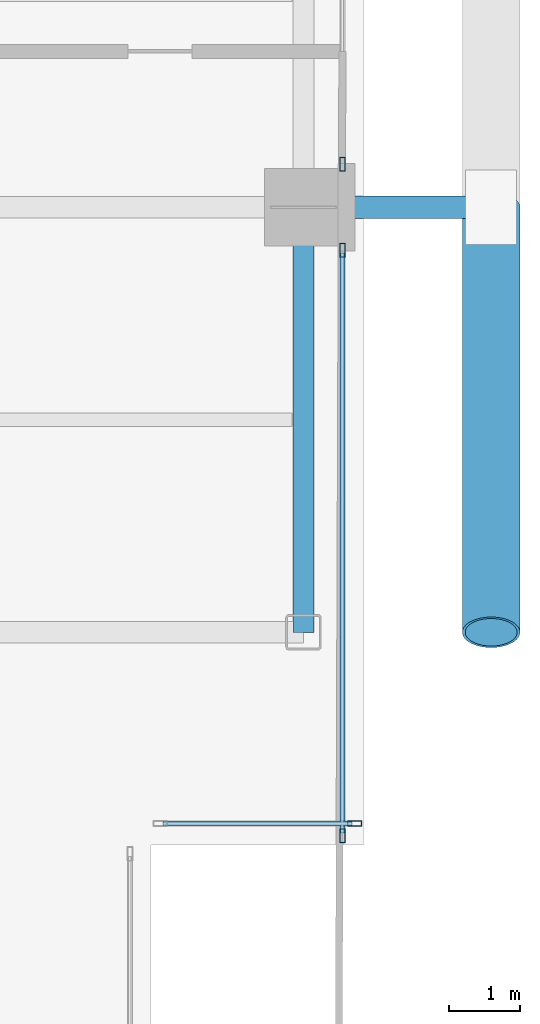
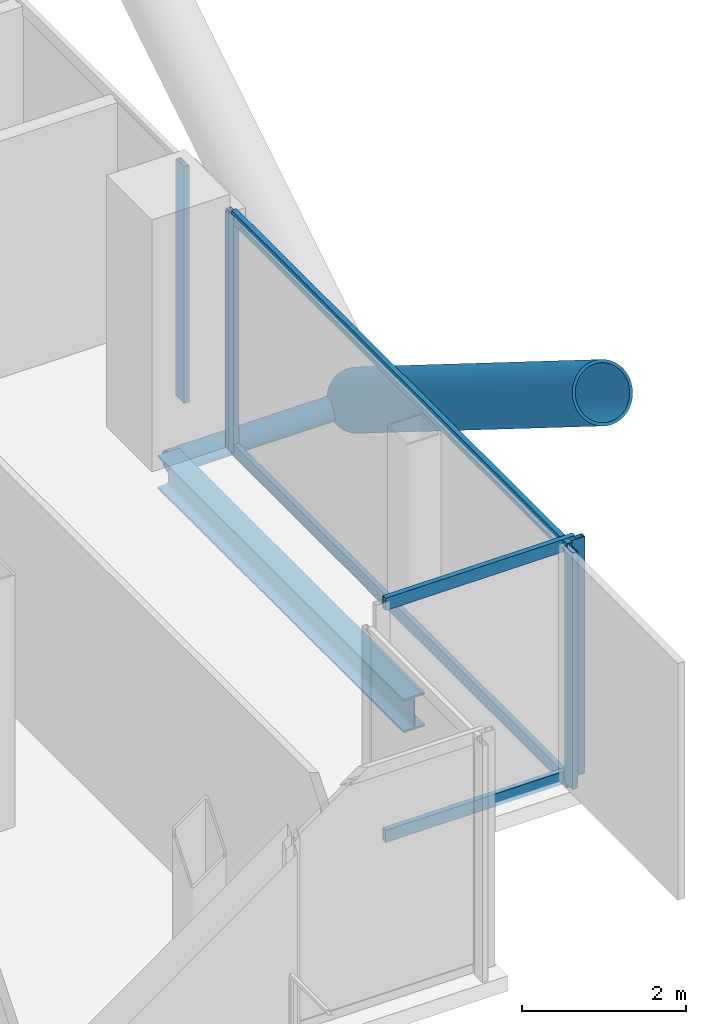
# One storey, part 12 of 28: 10 members, 1 beam, 3 elements without a shape of their own.
"""IFC4 building model written with IfcOpenShell, lengths in metres."""

from ifc_helpers import new_model, si_unit, direction, frame, origin, origin_2d, place, context, subcontext, project, spatial, hollow_rectangle, hollow_circle, i_section, extrude, material, layer, layer_set, material_profile, profile_set, type_object, element, aggregate, save


model = new_model("IFC4")

# Units and contexts
model_context = context("Model", 3, precision=1e-05, world=origin(), true_north=direction((0.0, 1.0)))
body_context = subcontext(model_context, "Body", "Model", "MODEL_VIEW")
ifc_project = project(units=[si_unit("LENGTHUNIT", "METRE"), si_unit("AREAUNIT", "SQUARE_METRE"), si_unit("VOLUMEUNIT", "CUBIC_METRE"), si_unit("PLANEANGLEUNIT", "RADIAN"), si_unit("MASSUNIT", "GRAM", prefix="KILO"), si_unit("THERMODYNAMICTEMPERATUREUNIT", "KELVIN"), si_unit("POWERUNIT", "WATT")], contexts=[model_context])

# Site, building, storey
site_placement = place(None, origin())
site = spatial("IfcSite", under=ifc_project, at=site_placement, CompositionType="ELEMENT")
building_placement = place(site_placement, origin())
building = spatial("IfcBuilding", under=site, at=building_placement, Name="Svarakhadi Broadcast Tower", CompositionType="ELEMENT")
storey_placement = place(building_placement, frame((0.0, 0.0, 138.14990234375)))
storey = spatial("IfcBuildingStorey", under=building, at=storey_placement, Name="L33", CompositionType="ELEMENT", Elevation=138.14990234375)

# Curtain wall, member
ifc_material_1 = material(Name="Anodised Bronze Aluminium AA 6063-T6", Category="aluminium")
ifc_layer = layer(ifc_material_1, 0.199951171875)
ifc_layer_set = layer_set([ifc_layer], Name="Anodised Bronze Aluminium AA 6063-T6")
curtain_wall_type = type_object("IfcCurtainWallType", Name="CW_Sys_03", PredefinedType="NOTDEFINED", material=ifc_layer_set)
curtain_wall_1_placement = place(storey_placement, origin())
curtain_wall_1 = element("IfcCurtainWall", 1, at=curtain_wall_1_placement, inside=storey, type_object=curtain_wall_type, Name="L33 Unitised Facade Curtain Wall 13 Bay 1", PredefinedType="NOTDEFINED")
ifc_material_profile_1 = material_profile(ifc_material_1, hollow_rectangle(XDim=0.074951171875, YDim=0.199951171875, WallThickness=0.005615234375, at=origin_2d()), Name="ALU MULLION 200x75x6")
ifc_profile_set_1 = profile_set([ifc_material_profile_1], Name="Anodised Bronze Aluminium AA 6063-T6")
member_type_1 = type_object("IfcMemberType", Name="CW_Sys_03_Mul", PredefinedType="MULLION", material=ifc_profile_set_1)
member_1_placement = place(storey_placement, frame((47.699951171875, 12.607421875, 0.0), z_axis=(0.0, 0.0, 1.0), x_axis=(1.0, 0.0, 0.0)))
member_1 = element("IfcMember", 2, at=member_1_placement, type_object=member_type_1, Name="CW-03 mullion 2", PredefinedType="MULLION", context=body_context, shape_type="SweptSolid", body=[
    extrude(hollow_rectangle(XDim=0.074951171875, YDim=0.199951171875, WallThickness=0.005615234375, at=origin_2d()), origin(), (0.0, 0.0, 1.0), 3.525146484375),
])
aggregate(curtain_wall_1, [member_1])

# Curtain wall, members
curtain_wall_2_placement = place(storey_placement, origin())
curtain_wall_2 = element("IfcCurtainWall", 3, at=curtain_wall_2_placement, inside=storey, type_object=curtain_wall_type, Name="L33 Unitised Facade Curtain Wall 13 Bay 2", PredefinedType="NOTDEFINED")
member_2_placement = place(storey_placement, frame((47.699951171875, 11.392578125, 0.0), z_axis=(0.0, 0.0, 1.0), x_axis=(1.0, 0.0, 0.0)))
member_2 = element("IfcMember", 4, at=member_2_placement, type_object=member_type_1, Name="CW-03 mullion 1", PredefinedType="MULLION", context=body_context, shape_type="SweptSolid", body=[
    extrude(hollow_rectangle(XDim=0.074951171875, YDim=0.199951171875, WallThickness=0.005615234375, at=origin_2d()), origin(), (0.0, 0.0, 1.0), 3.525146484375),
])
member_3_placement = place(storey_placement, frame((47.699951171875, 3.12744140625, 0.0), z_axis=(0.0, 0.0, 1.0), x_axis=(1.0, 0.0, 0.0)))
member_3 = element("IfcMember", 5, at=member_3_placement, type_object=member_type_1, Name="CW-03 mullion 2", PredefinedType="MULLION", context=body_context, shape_type="SweptSolid", body=[
    extrude(hollow_rectangle(XDim=0.074951171875, YDim=0.199951171875, WallThickness=0.005615234375, at=origin_2d()), origin(), (0.0, 0.0, 1.0), 3.525146484375),
])

# Curtain wall, member
curtain_wall_3_placement = place(storey_placement, origin())
curtain_wall_3 = element("IfcCurtainWall", 6, at=curtain_wall_3_placement, inside=storey, type_object=curtain_wall_type, Name="L33 Unitised Facade Curtain Wall 14", PredefinedType="NOTDEFINED")
member_4_placement = place(storey_placement, frame((47.87255859375, 3.300048828125, 0.0), z_axis=(0.0, 0.0, 1.0), x_axis=(0.0, -1.0, 0.0)))
member_4 = element("IfcMember", 7, at=member_4_placement, type_object=member_type_1, Name="CW-03 mullion 1", PredefinedType="MULLION", context=body_context, shape_type="SweptSolid", body=[
    extrude(hollow_rectangle(XDim=0.074951171875, YDim=0.199951171875, WallThickness=0.005615234375, at=origin_2d()), origin(), (0.0, 0.0, 1.0), 3.525146484375),
])

# Member
ifc_material_profile_2 = material_profile(ifc_material_1, hollow_rectangle(XDim=0.070068359375, YDim=0.18505859375, WallThickness=0.0048828125, at=origin_2d()), Name="ALU TRANSOM 185x70x5")
ifc_profile_set_2 = profile_set([ifc_material_profile_2], Name="Anodised Bronze Aluminium AA 6063-T6")
member_type_2 = type_object("IfcMemberType", Name="CW_Sys_03_Trn", PredefinedType="USERDEFINED", material=ifc_profile_set_2)
member_5_placement = place(storey_placement, frame((47.699951171875, 11.35498046875, 0.03515625), z_axis=(0.0, -1.0, 0.0), x_axis=(1.0, 0.0, 0.0)))
member_5 = element("IfcMember", 8, at=member_5_placement, type_object=member_type_2, Name="CW-03 transom 1.1", ObjectType="TRANSOM", PredefinedType="USERDEFINED", context=body_context, shape_type="SweptSolid", body=[
    extrude(hollow_rectangle(XDim=0.070068359375, YDim=0.18505859375, WallThickness=0.0048828125, at=origin_2d()), origin(), (0.0, 0.0, 1.0), 8.18994140625),
])

member_6_placement = place(storey_placement, frame((47.699951171875, 11.35498046875, 3.489990234375), z_axis=(0.0, -1.0, 0.0), x_axis=(1.0, 0.0, 0.0)))
member_6 = element("IfcMember", 9, at=member_6_placement, type_object=member_type_2, Name="CW-03 transom 1.2", ObjectType="TRANSOM", PredefinedType="USERDEFINED", context=body_context, shape_type="SweptSolid", body=[
    extrude(hollow_rectangle(XDim=0.070068359375, YDim=0.18505859375, WallThickness=0.0048828125, at=origin_2d()), origin(), (0.0, 0.0, 1.0), 8.18994140625),
])

aggregate(curtain_wall_2, [member_2, member_3, member_5, member_6])

member_7_placement = place(storey_placement, frame((47.8349609375, 3.300048828125, 0.03515625), z_axis=(-1.0, 0.0, 0.0), x_axis=(0.0, -1.0, 0.0)))
member_7 = element("IfcMember", 10, at=member_7_placement, type_object=member_type_2, Name="CW-03 transom 1.1", ObjectType="TRANSOM", PredefinedType="USERDEFINED", context=body_context, shape_type="SweptSolid", body=[
    extrude(hollow_rectangle(XDim=0.070068359375, YDim=0.18505859375, WallThickness=0.0048828125, at=origin_2d()), origin(), (0.0, 0.0, 1.0), 2.669921875),
])

member_8_placement = place(storey_placement, frame((47.8349609375, 3.300048828125, 3.489990234375), z_axis=(-1.0, 0.0, 0.0), x_axis=(0.0, -1.0, 0.0)))
member_8 = element("IfcMember", 11, at=member_8_placement, type_object=member_type_2, Name="CW-03 transom 1.2", ObjectType="TRANSOM", PredefinedType="USERDEFINED", context=body_context, shape_type="SweptSolid", body=[
    extrude(hollow_rectangle(XDim=0.070068359375, YDim=0.18505859375, WallThickness=0.0048828125, at=origin_2d()), origin(), (0.0, 0.0, 1.0), 2.669921875),
])

aggregate(curtain_wall_3, [member_4, member_7, member_8])

# Members
ifc_material_2 = material(Name="Steel S460ML (IS 2062 E450BR)", Category="steel")
ifc_material_profile_3 = material_profile(ifc_material_2, hollow_circle(Radius=0.406494140625, WallThickness=0.0400390625, at=origin_2d()), Name="CHS 813x40")
ifc_profile_set_3 = profile_set([ifc_material_profile_3], Name="Steel S460ML (IS 2062 E450BR)")
member_type_3 = type_object("IfcMemberType", Name="Exo_Brace_CHS813", PredefinedType="BRACE", material=ifc_profile_set_3)
member_9_placement = place(storey_placement, frame((49.800048828125, 12.0, -0.386962890625), z_axis=(0.0, -0.847998304005, 0.529998940003), x_axis=(1.0, 0.0, 0.0)))
element("IfcMember", 12, at=member_9_placement, inside=storey, type_object=member_type_3, Name="L33 Exposed Bronze Exoskeleton Diagonal E08", PredefinedType="BRACE", context=body_context, shape_type="SweptSolid", body=[
    extrude(hollow_circle(Radius=0.406494140625, WallThickness=0.0400390625, at=origin_2d()), origin(), (0.0, 0.0, 1.0), 7.075439453125),
])
ifc_material_profile_4 = material_profile(ifc_material_2, hollow_circle(Radius=0.161865234375, WallThickness=0.01611328125, at=origin_2d()), Name="CHS 323.9x16")
ifc_profile_set_4 = profile_set([ifc_material_profile_4], Name="Steel S460ML (IS 2062 E450BR)")
member_type_4 = type_object("IfcMemberType", Name="Exo_Radial_Strut_Z2", PredefinedType="STRUT", material=ifc_profile_set_4)
member_10_placement = place(storey_placement, frame((49.800048828125, 12.0, -0.386962890625), z_axis=(-1.0, 0.0, 0.0), x_axis=(0.0, -1.0, 0.0)))
element("IfcMember", 13, at=member_10_placement, inside=storey, type_object=member_type_4, Name="L33 Exoskeleton Radial Tie Strut E05", PredefinedType="STRUT", context=body_context, shape_type="SweptSolid", body=[
    extrude(hollow_circle(Radius=0.161865234375, WallThickness=0.01611328125, at=origin_2d()), origin(), (0.0, 0.0, 1.0), 2.650146484375),
])

# Beam
ifc_material_3 = material(Name="Steel S355J2 (IS 2062 E350C)", Category="steel")
ifc_material_profile_5 = material_profile(ifc_material_3, i_section(OverallWidth=0.300048828125, OverallDepth=0.5, WebThickness=0.014404296875, FlangeThickness=0.028076171875, FilletRadius=0.027099609375, at=origin_2d()), Name="WPB 500x300x187")
ifc_profile_set_5 = profile_set([ifc_material_profile_5], Name="Steel S355J2 (IS 2062 E350C)")
beam_type = type_object("IfcBeamType", Name="Girder_WPB500", PredefinedType="USERDEFINED", material=ifc_profile_set_5)
beam_placement = place(storey_placement, frame((47.14990234375, 6.0, -0.474853515625), z_axis=(0.0, 1.0, 0.0), x_axis=(-1.0, 0.0, 0.0)))
element("IfcBeam", 14, at=beam_placement, inside=storey, type_object=beam_type, Name="L33 Primary N-S Girder G073", ObjectType="GIRDER", PredefinedType="USERDEFINED", context=body_context, shape_type="SweptSolid", body=[
    extrude(i_section(OverallWidth=0.300048828125, OverallDepth=0.5, WebThickness=0.014404296875, FlangeThickness=0.028076171875, FilletRadius=0.027099609375, at=origin_2d()), origin(), (0.0, 0.0, 1.0), 6.0),
])

save(model, "model.ifc")
